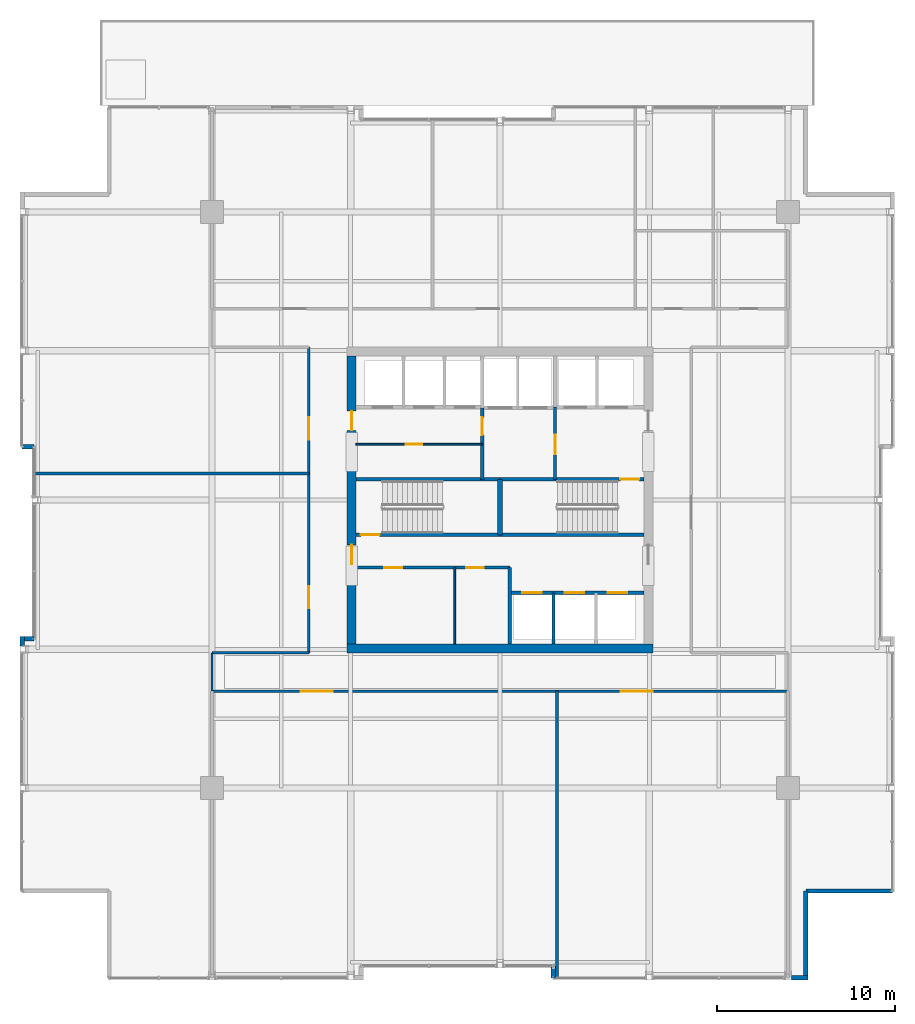
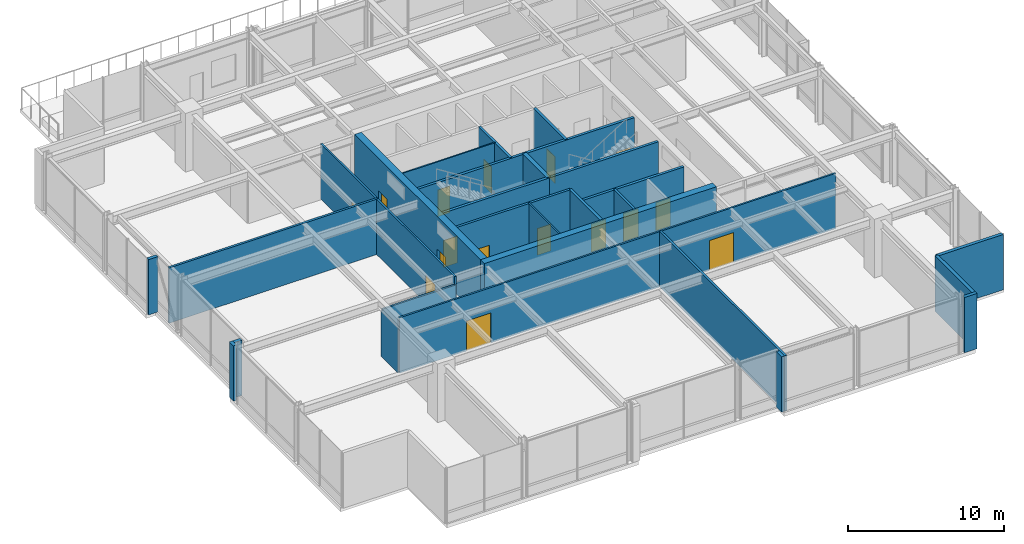
# One storey, part 27 of 32: 28 walls, 16 doors, 16 openings.
"""IFC4 building model written with IfcOpenShell, lengths in metres."""

from ifc_helpers import new_model, si_unit, direction, frame, frame_2d, origin, place, context, subcontext, project, spatial, rectangle, extrude, material, layer, layer_set, type_object, element, fill, save


model = new_model("IFC4")

# Units and contexts
model_context = context("Model", 3, precision=1e-05, world=origin(), true_north=direction((0.0, 1.0)))
body_context = subcontext(model_context, "Body", "Model", "MODEL_VIEW")
ifc_project = project(units=[si_unit("LENGTHUNIT", "METRE"), si_unit("AREAUNIT", "SQUARE_METRE"), si_unit("VOLUMEUNIT", "CUBIC_METRE"), si_unit("PLANEANGLEUNIT", "RADIAN"), si_unit("MASSUNIT", "GRAM", prefix="KILO")], contexts=[model_context])

# Site, building, storey
site_placement = place(None, origin())
site = spatial("IfcSite", under=ifc_project, at=site_placement, CompositionType="ELEMENT")
building_placement = place(site_placement, origin())
building = spatial("IfcBuilding", under=site, at=building_placement, Name="Drelvath Grand Hotel", CompositionType="ELEMENT")
storey_placement = place(building_placement, frame((0.0, 0.0, 145.800048828125)))
storey = spatial("IfcBuildingStorey", under=building, at=storey_placement, Name="L37", CompositionType="ELEMENT", Elevation=145.800048828125)

# Wall, opening, door
ifc_material_1 = material(Name="Gypsum Partition Board")
ifc_layer_1 = layer(ifc_material_1, 0.10009765625)
ifc_layer_set_1 = layer_set([ifc_layer_1], Name="Gypsum Partition Board")
wall_type_1 = type_object("IfcWallType", Name="Core Closet Partition 100", PredefinedType="PARTITIONING", material=ifc_layer_set_1)
wall_1_placement = place(storey_placement, frame((-8.10009765625, 30.139892578125, 0.0), z_axis=(0.0, 0.0, 1.0), x_axis=(1.0, 0.0, 0.0)))
wall_1 = element("IfcWall", 1, at=wall_1_placement, inside=storey, type_object=wall_type_1, Name="L37 High-Rise Lobby Closet Wall", PredefinedType="PARTITIONING", context=body_context, shape_type="SweptSolid", body=[
    extrude(rectangle(XDim=7.10009765625, YDim=0.10009765625, at=frame_2d((3.550048828125, 0.0))), origin(), (0.0, 0.0, 1.0), 4.33984375),
])
opening_1_placement = place(wall_1_placement, frame((2.800048828125, 0.0, 0.0)))
opening_1 = element("IfcOpeningElement", 2, at=opening_1_placement, cuts=wall_1, Name="Opening D-L37-014", PredefinedType="OPENING", context=body_context, shape_type="SweptSolid", body=[
    extrude(rectangle(XDim=0.919921875, YDim=2.10009765625, at=frame_2d((0.4599609375, 1.050048828125))), frame((0.0, 0.06005859375, 0.0), z_axis=(0.0, -1.0, 0.0), x_axis=(1.0, 0.0, 0.0)), (0.0, 0.0, 1.0), 0.1201171875),
])
ifc_material_2 = material(Name="Painted Steel S275", Category="steel")
door_type_1 = type_object("IfcDoorType", Name="Staff Utility Door 920x2100", OperationType="NOTDEFINED", PredefinedType="DOOR", material=ifc_material_2)
door_1_placement = place(opening_1_placement, origin())
door_1 = element("IfcDoor", 3, at=door_1_placement, inside=storey, type_object=door_type_1, Name="L37 Core Telecom Door", OperationType="SINGLE_SWING_LEFT", OverallHeight=2.10009765625, OverallWidth=0.919921875, PredefinedType="DOOR", context=body_context, shape_type="SweptSolid", body=[
    extrude(rectangle(XDim=0.919921875, YDim=2.10009765625, at=frame_2d((0.4599609375, 1.050048828125))), frame((0.0, 0.02490234375, 0.0), z_axis=(0.0, -1.0, 0.0), x_axis=(1.0, 0.0, 0.0)), (0.0, 0.0, 1.0), 0.050048828125),
])
fill(opening_1, door_1)

# Wall
wall_2_placement = place(storey_placement, frame((-2.5400390625, 18.89990234375, 0.0), z_axis=(0.0, 0.0, 1.0), x_axis=(0.0, 1.0, 0.0)))
element("IfcWall", 4, at=wall_2_placement, inside=storey, type_object=wall_type_1, Name="L37 Reclaimed Core Split Wall", PredefinedType="PARTITIONING", context=body_context, shape_type="SweptSolid", body=[
    extrude(rectangle(XDim=4.300048828125, YDim=0.10009765625, at=frame_2d((2.14990234375, 0.0))), origin(), (0.0, 0.0, 1.0), 4.33984375),
])

# Wall, openings, doors
ifc_material_3 = material(Name="Concrete C40/50", Category="concrete")
ifc_layer_2 = layer(ifc_material_3, 0.199951171875)
ifc_layer_set_2 = layer_set([ifc_layer_2], Name="Concrete C40/50")
wall_type_2 = type_object("IfcWallType", Name="Core Hoistway Fire Wall 200", PredefinedType="SOLIDWALL", material=ifc_layer_set_2)
wall_3_placement = place(storey_placement, frame((8.10009765625, 21.780029296875, 0.0), z_axis=(0.0, 0.0, 1.0), x_axis=(-1.0, 0.0, 0.0)))
wall_3 = element("IfcWall", 5, at=wall_3_placement, inside=storey, type_object=wall_type_2, Name="L37 Bank 2 Hoistway Wall", PredefinedType="SOLIDWALL", context=body_context, shape_type="SweptSolid", body=[
    extrude(rectangle(XDim=7.550048828125, YDim=0.199951171875, at=frame_2d((3.77490234375, 0.0))), origin(), (0.0, 0.0, 1.0), 4.33984375),
])
opening_2_placement = place(wall_3_placement, frame((5.75, 0.0, 0.0)))
opening_2 = element("IfcOpeningElement", 6, at=opening_2_placement, cuts=wall_3, Name="Opening LD-PE-4", PredefinedType="OPENING", context=body_context, shape_type="SweptSolid", body=[
    extrude(rectangle(XDim=1.10009765625, YDim=2.199951171875, at=frame_2d((0.550048828125, 1.10009765625))), frame((0.0, 0.10986328125, 0.0), z_axis=(0.0, -1.0, 0.0), x_axis=(1.0, 0.0, 0.0)), (0.0, 0.0, 1.0), 0.219970703125),
])
opening_3_placement = place(wall_3_placement, frame((3.35009765625, 0.0, 0.0)))
opening_3 = element("IfcOpeningElement", 7, at=opening_3_placement, cuts=wall_3, Name="Opening LD-PE-5", PredefinedType="OPENING", context=body_context, shape_type="SweptSolid", body=[
    extrude(rectangle(XDim=1.10009765625, YDim=2.199951171875, at=frame_2d((0.550048828125, 1.10009765625))), frame((0.0, 0.10986328125, 0.0), z_axis=(0.0, -1.0, 0.0), x_axis=(1.0, 0.0, 0.0)), (0.0, 0.0, 1.0), 0.219970703125),
])
opening_4_placement = place(wall_3_placement, frame((0.949951171875, 0.0, 0.0)))
opening_4 = element("IfcOpeningElement", 8, at=opening_4_placement, cuts=wall_3, Name="Opening LD-PE-6", PredefinedType="OPENING", context=body_context, shape_type="SweptSolid", body=[
    extrude(rectangle(XDim=1.10009765625, YDim=2.199951171875, at=frame_2d((0.550048828125, 1.10009765625))), frame((0.0, 0.10986328125, 0.0), z_axis=(0.0, -1.0, 0.0), x_axis=(1.0, 0.0, 0.0)), (0.0, 0.0, 1.0), 0.219970703125),
])
ifc_material_4 = material(Name="Stainless Steel S355", Category="steel")
door_type_2 = type_object("IfcDoorType", Name="Passenger Lift Sliding Landing Door 1100x2200", OperationType="NOTDEFINED", PredefinedType="DOOR", material=ifc_material_4)
door_2_placement = place(opening_2_placement, origin())
door_2 = element("IfcDoor", 9, at=door_2_placement, inside=storey, type_object=door_type_2, Name="L37 Lift PE-4 Landing Door", OperationType="SLIDING_TO_LEFT", OverallHeight=2.199951171875, OverallWidth=1.10009765625, PredefinedType="DOOR", context=body_context, shape_type="SweptSolid", body=[
    extrude(rectangle(XDim=1.10009765625, YDim=2.199951171875, at=frame_2d((0.550048828125, 1.10009765625))), frame((0.0, 0.02490234375, 0.0), z_axis=(0.0, -1.0, 0.0), x_axis=(1.0, 0.0, 0.0)), (0.0, 0.0, 1.0), 0.050048828125),
])
fill(opening_2, door_2)
door_3_placement = place(opening_3_placement, origin())
door_3 = element("IfcDoor", 10, at=door_3_placement, inside=storey, type_object=door_type_2, Name="L37 Lift PE-5 Landing Door", OperationType="SLIDING_TO_LEFT", OverallHeight=2.199951171875, OverallWidth=1.10009765625, PredefinedType="DOOR", context=body_context, shape_type="SweptSolid", body=[
    extrude(rectangle(XDim=1.10009765625, YDim=2.199951171875, at=frame_2d((0.550048828125, 1.10009765625))), frame((0.0, 0.02490234375, 0.0), z_axis=(0.0, -1.0, 0.0), x_axis=(1.0, 0.0, 0.0)), (0.0, 0.0, 1.0), 0.050048828125),
])
fill(opening_3, door_3)
door_4_placement = place(opening_4_placement, origin())
door_4 = element("IfcDoor", 11, at=door_4_placement, inside=storey, type_object=door_type_2, Name="L37 Lift PE-6 Landing Door", OperationType="SLIDING_TO_LEFT", OverallHeight=2.199951171875, OverallWidth=1.10009765625, PredefinedType="DOOR", context=body_context, shape_type="SweptSolid", body=[
    extrude(rectangle(XDim=1.10009765625, YDim=2.199951171875, at=frame_2d((0.550048828125, 1.10009765625))), frame((0.0, 0.02490234375, 0.0), z_axis=(0.0, -1.0, 0.0), x_axis=(1.0, 0.0, 0.0)), (0.0, 0.0, 1.0), 0.050048828125),
])
fill(opening_4, door_4)

# Wall
wall_4_placement = place(storey_placement, frame((0.550048828125, 18.89990234375, 0.0), z_axis=(0.0, 0.0, 1.0), x_axis=(0.0, 1.0, 0.0)))
element("IfcWall", 12, at=wall_4_placement, inside=storey, type_object=wall_type_2, Name="L37 Bank 2 West Wall", PredefinedType="SOLIDWALL", context=body_context, shape_type="SweptSolid", body=[
    extrude(rectangle(XDim=4.300048828125, YDim=0.199951171875, at=frame_2d((2.14990234375, 0.0))), origin(), (0.0, 0.0, 1.0), 4.33984375),
])

# Wall, opening, door
ifc_layer_3 = layer(ifc_material_3, 0.199951171875)
ifc_layer_set_3 = layer_set([ifc_layer_3], Name="Concrete C40/50")
wall_type_3 = type_object("IfcWallType", Name="Core Shaft Fire Wall 200", PredefinedType="SOLIDWALL", material=ifc_layer_set_3)
wall_5_placement = place(storey_placement, frame((-8.10009765625, 25.0400390625, 0.0), z_axis=(0.0, 0.0, 1.0), x_axis=(1.0, 0.0, 0.0)))
wall_5 = element("IfcWall", 13, at=wall_5_placement, inside=storey, type_object=wall_type_3, Name="L37 Stair ST-1 South Wall", PredefinedType="SOLIDWALL", context=body_context, shape_type="SweptSolid", body=[
    extrude(rectangle(XDim=8.10009765625, YDim=0.199951171875, at=frame_2d((4.050048828125, 0.0))), origin(), (0.0, 0.0, 1.0), 4.33984375),
])
opening_5_placement = place(wall_5_placement, frame((0.280029296875, 0.0, 0.0)))
opening_5 = element("IfcOpeningElement", 14, at=opening_5_placement, cuts=wall_5, Name="Opening D-L37-001", PredefinedType="OPENING", context=body_context, shape_type="SweptSolid", body=[
    extrude(rectangle(XDim=1.050048828125, YDim=2.10009765625, at=frame_2d((0.52490234375, 1.050048828125))), frame((0.0, 0.10986328125, 0.0), z_axis=(0.0, -1.0, 0.0), x_axis=(1.0, 0.0, 0.0)), (0.0, 0.0, 1.0), 0.219970703125),
])
door_type_3 = type_object("IfcDoorType", Name="Tower Stairwell Fire Door 1050x2100", OperationType="NOTDEFINED", PredefinedType="DOOR", material=ifc_material_2)
door_5_placement = place(opening_5_placement, origin())
door_5 = element("IfcDoor", 15, at=door_5_placement, inside=storey, type_object=door_type_3, Name="L37 Exit Stair ST-1 Door", OperationType="SINGLE_SWING_LEFT", OverallHeight=2.10009765625, OverallWidth=1.050048828125, PredefinedType="DOOR", context=body_context, shape_type="SweptSolid", body=[
    extrude(rectangle(XDim=1.050048828125, YDim=2.10009765625, at=frame_2d((0.52490234375, 1.050048828125))), frame((0.0, 0.02490234375, 0.0), z_axis=(0.0, -1.0, 0.0), x_axis=(1.0, 0.0, 0.0)), (0.0, 0.0, 1.0), 0.050048828125),
])
fill(opening_5, door_5)

# Walls
for number, where, z_axis, x_axis, name in (
    (16, (-8.10009765625, 28.159912109375, 0.0), (0.0, 0.0, 1.0), (1.0, 0.0, 0.0), "L37 Stair ST-1 North Wall"),
    (17, (0.0, 25.0400390625, 0.0), (0.0, 0.0, 1.0), (1.0, 0.0, 0.0), "L37 Stair ST-2 South Wall"),
):
    element("IfcWall", number, at=place(storey_placement, frame(where, z_axis=z_axis, x_axis=x_axis)), inside=storey, type_object=wall_type_3, Name=name, PredefinedType="SOLIDWALL", context=body_context, shape_type="SweptSolid", body=[
        extrude(rectangle(XDim=8.10009765625, YDim=0.199951171875, at=frame_2d((4.050048828125, 0.0))), origin(), (0.0, 0.0, 1.0), 4.33984375),
    ])

# Wall, opening, door
wall_6_placement = place(storey_placement, frame((8.10009765625, 28.159912109375, 0.0), z_axis=(0.0, 0.0, 1.0), x_axis=(-1.0, 0.0, 0.0)))
wall_6 = element("IfcWall", 18, at=wall_6_placement, inside=storey, type_object=wall_type_3, Name="L37 Stair ST-2 North Wall", PredefinedType="SOLIDWALL", context=body_context, shape_type="SweptSolid", body=[
    extrude(rectangle(XDim=8.10009765625, YDim=0.199951171875, at=frame_2d((4.050048828125, 0.0))), origin(), (0.0, 0.0, 1.0), 4.33984375),
])
opening_6_placement = place(wall_6_placement, frame((0.280029296875, 0.0, 0.0)))
opening_6 = element("IfcOpeningElement", 19, at=opening_6_placement, cuts=wall_6, Name="Opening D-L37-002", PredefinedType="OPENING", context=body_context, shape_type="SweptSolid", body=[
    extrude(rectangle(XDim=1.050048828125, YDim=2.10009765625, at=frame_2d((0.52490234375, 1.050048828125))), frame((0.0, 0.10986328125, 0.0), z_axis=(0.0, -1.0, 0.0), x_axis=(1.0, 0.0, 0.0)), (0.0, 0.0, 1.0), 0.219970703125),
])
door_6_placement = place(opening_6_placement, origin())
door_6 = element("IfcDoor", 20, at=door_6_placement, inside=storey, type_object=door_type_3, Name="L37 Exit Stair ST-2 Door", OperationType="SINGLE_SWING_LEFT", OverallHeight=2.10009765625, OverallWidth=1.050048828125, PredefinedType="DOOR", context=body_context, shape_type="SweptSolid", body=[
    extrude(rectangle(XDim=1.050048828125, YDim=2.10009765625, at=frame_2d((0.52490234375, 1.050048828125))), frame((0.0, 0.02490234375, 0.0), z_axis=(0.0, -1.0, 0.0), x_axis=(1.0, 0.0, 0.0)), (0.0, 0.0, 1.0), 0.050048828125),
])
fill(opening_6, door_6)

# Walls
ifc_layer_4 = layer(ifc_material_3, 0.300048828125)
ifc_layer_set_4 = layer_set([ifc_layer_4], Name="Concrete C40/50")
wall_type_4 = type_object("IfcWallType", Name="Core Shaft Fire Wall 300", PredefinedType="SOLIDWALL", material=ifc_layer_set_4)
wall_7_placement = place(storey_placement, frame((0.0, 25.0400390625, 0.0), z_axis=(0.0, 0.0, 1.0), x_axis=(0.0, 1.0, 0.0)))
element("IfcWall", 21, at=wall_7_placement, inside=storey, type_object=wall_type_4, Name="L37 Core Stair Divider Wall", PredefinedType="SOLIDWALL", context=body_context, shape_type="SweptSolid", body=[
    extrude(rectangle(XDim=3.119873046875, YDim=0.300048828125, at=frame_2d((1.56005859375, 0.0))), origin(), (0.0, 0.0, 1.0), 4.33984375),
])
ifc_material_5 = material(Name="Gypsum Fireboard Partition")
ifc_layer_5 = layer(ifc_material_5, 0.1650390625)
ifc_layer_set_5 = layer_set([ifc_layer_5], Name="Gypsum Fireboard Partition")
wall_type_5 = type_object("IfcWallType", Name="Core Shaft Partition 165", PredefinedType="PARTITIONING", material=ifc_layer_set_5)
wall_8_placement = place(storey_placement, frame((3.0, 18.89990234375, 0.0), z_axis=(0.0, 0.0, 1.0), x_axis=(0.0, 1.0, 0.0)))
element("IfcWall", 22, at=wall_8_placement, inside=storey, type_object=wall_type_5, Name="L37 Lift PE-4/5 Divider", PredefinedType="PARTITIONING", context=body_context, shape_type="SweptSolid", body=[
    extrude(rectangle(XDim=2.880126953125, YDim=0.1650390625, at=frame_2d((1.43994140625, 0.0))), origin(), (0.0, 0.0, 1.0), 4.33984375),
])

# Wall, openings, doors
ifc_layer_6 = layer(ifc_material_5, 0.135009765625)
ifc_layer_set_6 = layer_set([ifc_layer_6], Name="Gypsum Fireboard Partition")
wall_type_6 = type_object("IfcWallType", Name="Corridor Fire Barrier Wall 135", PredefinedType="PARTITIONING", material=ifc_layer_set_6)
wall_9_placement = place(storey_placement, frame((-16.199951171875, 16.25, 0.0), z_axis=(0.0, 0.0, 1.0), x_axis=(1.0, 0.0, 0.0)))
wall_9 = element("IfcWall", 23, at=wall_9_placement, inside=storey, type_object=wall_type_6, Name="L37 Sky South Foyer Wall", PredefinedType="PARTITIONING", context=body_context, shape_type="SweptSolid", body=[
    extrude(rectangle(XDim=32.39990234375, YDim=0.135009765625, at=frame_2d((16.199951171875, 0.0))), origin(), (0.0, 0.0, 1.0), 4.33984375),
])
opening_7_placement = place(wall_9_placement, frame((5.0, 0.0, 0.0)))
opening_7 = element("IfcOpeningElement", 24, at=opening_7_placement, cuts=wall_9, Name="Opening D-L37-022", PredefinedType="OPENING", context=body_context, shape_type="SweptSolid", body=[
    extrude(rectangle(XDim=1.800048828125, YDim=2.35009765625, at=frame_2d((0.89990234375, 1.175048828125))), frame((0.0, 0.077392578125, 0.0), z_axis=(0.0, -1.0, 0.0), x_axis=(1.0, 0.0, 0.0)), (0.0, 0.0, 1.0), 0.155029296875),
])
opening_8_placement = place(wall_9_placement, frame((23.0, 0.0, 0.0)))
opening_8 = element("IfcOpeningElement", 25, at=opening_8_placement, cuts=wall_9, Name="Opening D-L37-023", PredefinedType="OPENING", context=body_context, shape_type="SweptSolid", body=[
    extrude(rectangle(XDim=1.800048828125, YDim=2.35009765625, at=frame_2d((0.89990234375, 1.175048828125))), frame((0.0, 0.077392578125, 0.0), z_axis=(0.0, -1.0, 0.0), x_axis=(1.0, 0.0, 0.0)), (0.0, 0.0, 1.0), 0.155029296875),
])
ifc_material_6 = material(Name="Hardwood Bronze-Clad Timber", Category="wood")
door_type_4 = type_object("IfcDoorType", Name="Assembly Double Fire Door 1800x2350", OperationType="NOTDEFINED", PredefinedType="DOOR", material=ifc_material_6)
door_7_placement = place(opening_7_placement, origin())
door_7 = element("IfcDoor", 26, at=door_7_placement, inside=storey, type_object=door_type_4, Name="L37 Wellness Spa Sky Hydrotherapy Salon Door", OperationType="DOUBLE_DOOR_SINGLE_SWING", OverallHeight=2.35009765625, OverallWidth=1.800048828125, PredefinedType="DOOR", context=body_context, shape_type="SweptSolid", body=[
    extrude(rectangle(XDim=1.800048828125, YDim=2.35009765625, at=frame_2d((0.89990234375, 1.175048828125))), frame((0.0, 0.02490234375, 0.0), z_axis=(0.0, -1.0, 0.0), x_axis=(1.0, 0.0, 0.0)), (0.0, 0.0, 1.0), 0.050048828125),
])
fill(opening_7, door_7)
door_8_placement = place(opening_8_placement, origin())
door_8 = element("IfcDoor", 27, at=door_8_placement, inside=storey, type_object=door_type_4, Name="L37 Botanical Relaxation Lounge Door", OperationType="DOUBLE_DOOR_SINGLE_SWING", OverallHeight=2.35009765625, OverallWidth=1.800048828125, PredefinedType="DOOR", context=body_context, shape_type="SweptSolid", body=[
    extrude(rectangle(XDim=1.800048828125, YDim=2.35009765625, at=frame_2d((0.89990234375, 1.175048828125))), frame((0.0, 0.02490234375, 0.0), z_axis=(0.0, -1.0, 0.0), x_axis=(1.0, 0.0, 0.0)), (0.0, 0.0, 1.0), 0.050048828125),
])
fill(opening_8, door_8)

# Wall
wall_10_placement = place(storey_placement, frame((-16.199951171875, 18.39990234375, 0.0), z_axis=(0.0, 0.0, 1.0), x_axis=(1.0, 0.0, 0.0)))
element("IfcWall", 28, at=wall_10_placement, inside=storey, type_object=wall_type_6, Name="L37 Sky SW Spur Inner Wall", PredefinedType="PARTITIONING", context=body_context, shape_type="SweptSolid", body=[
    extrude(rectangle(XDim=5.449951171875, YDim=0.135009765625, at=frame_2d((2.72509765625, 0.0))), origin(), (0.0, 0.0, 1.0), 3.71728515625),
])

# Wall, openings, doors
wall_11_placement = place(storey_placement, frame((-10.75, 18.39990234375, 0.0), z_axis=(0.0, 0.0, 1.0), x_axis=(0.0, 1.0, 0.0)))
wall_11 = element("IfcWall", 29, at=wall_11_placement, inside=storey, type_object=wall_type_6, Name="L37 Sky West Foyer Wall", PredefinedType="PARTITIONING", context=body_context, shape_type="SweptSolid", body=[
    extrude(rectangle(XDim=17.2001953125, YDim=0.135009765625, at=frame_2d((8.60009765625, 0.0))), origin(), (0.0, 0.0, 1.0), 4.33984375),
])
opening_9_placement = place(wall_11_placement, frame((2.5, 0.0, 0.0)))
opening_9 = element("IfcOpeningElement", 30, at=opening_9_placement, cuts=wall_11, Name="Opening D-L37-028", PredefinedType="OPENING", context=body_context, shape_type="SweptSolid", body=[
    extrude(rectangle(XDim=1.260009765625, YDim=2.199951171875, at=frame_2d((0.6298828125, 1.10009765625))), frame((0.0, 0.077392578125, 0.0), z_axis=(0.0, -1.0, 0.0), x_axis=(1.0, 0.0, 0.0)), (0.0, 0.0, 1.0), 0.155029296875),
])
opening_10_placement = place(wall_11_placement, frame((12.0, 0.0, 0.0)))
opening_10 = element("IfcOpeningElement", 31, at=opening_10_placement, cuts=wall_11, Name="Opening D-L37-029", PredefinedType="OPENING", context=body_context, shape_type="SweptSolid", body=[
    extrude(rectangle(XDim=1.260009765625, YDim=2.199951171875, at=frame_2d((0.6298828125, 1.10009765625))), frame((0.0, 0.077392578125, 0.0), z_axis=(0.0, -1.0, 0.0), x_axis=(1.0, 0.0, 0.0)), (0.0, 0.0, 1.0), 0.155029296875),
])
ifc_material_7 = material(Name="Hardwood Walnut Timber", Category="wood")
door_type_5 = type_object("IfcDoorType", Name="Suite Entrance Fire Door 1260x2200", OperationType="NOTDEFINED", PredefinedType="DOOR", material=ifc_material_7)
door_9_placement = place(opening_9_placement, origin())
door_9 = element("IfcDoor", 32, at=door_9_placement, inside=storey, type_object=door_type_5, Name="L37 Thermal Hydrotherapy Lounge Door", OperationType="SINGLE_SWING_RIGHT", OverallHeight=2.199951171875, OverallWidth=1.260009765625, PredefinedType="DOOR", context=body_context, shape_type="SweptSolid", body=[
    extrude(rectangle(XDim=1.260009765625, YDim=2.199951171875, at=frame_2d((0.6298828125, 1.10009765625))), frame((0.0, 0.02490234375, 0.0), z_axis=(0.0, -1.0, 0.0), x_axis=(1.0, 0.0, 0.0)), (0.0, 0.0, 1.0), 0.050048828125),
])
fill(opening_9, door_9)
door_10_placement = place(opening_10_placement, origin())
door_10 = element("IfcDoor", 33, at=door_10_placement, inside=storey, type_object=door_type_5, Name="L37 Meditation Yoga Studio Door", OperationType="SINGLE_SWING_LEFT", OverallHeight=2.199951171875, OverallWidth=1.260009765625, PredefinedType="DOOR", context=body_context, shape_type="SweptSolid", body=[
    extrude(rectangle(XDim=1.260009765625, YDim=2.199951171875, at=frame_2d((0.6298828125, 1.10009765625))), frame((0.0, 0.02490234375, 0.0), z_axis=(0.0, -1.0, 0.0), x_axis=(1.0, 0.0, 0.0)), (0.0, 0.0, 1.0), 0.050048828125),
])
fill(opening_10, door_10)

# Wall
wall_12_placement = place(storey_placement, frame((-16.199951171875, 16.25, 0.0), z_axis=(0.0, 0.0, 1.0), x_axis=(0.0, 1.0, 0.0)))
element("IfcWall", 34, at=wall_12_placement, inside=storey, type_object=wall_type_6, Name="L37 Sky South Foyer West End", PredefinedType="PARTITIONING", context=body_context, shape_type="SweptSolid", body=[
    extrude(rectangle(XDim=2.14990234375, YDim=0.135009765625, at=frame_2d((1.074951171875, 0.0))), origin(), (0.0, 0.0, 1.0), 3.62939453125),
])

# Wall, opening, door
ifc_layer_7 = layer(ifc_material_5, 0.179931640625)
ifc_layer_set_7 = layer_set([ifc_layer_7], Name="Gypsum Fireboard Partition")
wall_type_7 = type_object("IfcWallType", Name="FSAE Smoke Lobby Fire Wall 180", PredefinedType="SOLIDWALL", material=ifc_layer_set_7)
wall_13_placement = place(storey_placement, frame((3.10009765625, 28.159912109375, 0.0), z_axis=(0.0, 0.0, 1.0), x_axis=(0.0, 1.0, 0.0)))
wall_13 = element("IfcWall", 35, at=wall_13_placement, inside=storey, type_object=wall_type_7, Name="L37 FSAE Smoke Lobby West Wall", PredefinedType="SOLIDWALL", context=body_context, shape_type="SweptSolid", body=[
    extrude(rectangle(XDim=4.06005859375, YDim=0.179931640625, at=frame_2d((2.030029296875, 0.0))), origin(), (0.0, 0.0, 1.0), 4.33984375),
])
opening_11_placement = place(wall_13_placement, frame((1.39990234375, 0.0, 0.0)))
opening_11 = element("IfcOpeningElement", 36, at=opening_11_placement, cuts=wall_13, Name="Opening D-L37-005", PredefinedType="OPENING", context=body_context, shape_type="SweptSolid", body=[
    extrude(rectangle(XDim=1.1201171875, YDim=2.10009765625, at=frame_2d((0.56005859375, 1.050048828125))), frame((0.0, 0.099853515625, 0.0), z_axis=(0.0, -1.0, 0.0), x_axis=(1.0, 0.0, 0.0)), (0.0, 0.0, 1.0), 0.199951171875),
])
door_type_6 = type_object("IfcDoorType", Name="FSAE Smoke Lobby Fire Door 1120x2100", OperationType="NOTDEFINED", PredefinedType="DOOR", material=ifc_material_2)
door_11_placement = place(opening_11_placement, origin())
door_11 = element("IfcDoor", 37, at=door_11_placement, inside=storey, type_object=door_type_6, Name="L37 FSAE Lobby Service Vestibule Door", OperationType="SINGLE_SWING_RIGHT", OverallHeight=2.10009765625, OverallWidth=1.1201171875, PredefinedType="DOOR", context=body_context, shape_type="SweptSolid", body=[
    extrude(rectangle(XDim=1.1201171875, YDim=2.10009765625, at=frame_2d((0.56005859375, 1.050048828125))), frame((0.0, 0.02490234375, 0.0), z_axis=(0.0, -1.0, 0.0), x_axis=(1.0, 0.0, 0.0)), (0.0, 0.0, 1.0), 0.050048828125),
])
fill(opening_11, door_11)

wall_14_placement = place(storey_placement, frame((-1.0, 28.159912109375, 0.0), z_axis=(0.0, 0.0, 1.0), x_axis=(0.0, 1.0, 0.0)))
wall_14 = element("IfcWall", 38, at=wall_14_placement, inside=storey, type_object=wall_type_7, Name="L37 Service Vestibule West Wall", PredefinedType="SOLIDWALL", context=body_context, shape_type="SweptSolid", body=[
    extrude(rectangle(XDim=4.02001953125, YDim=0.179931640625, at=frame_2d((2.010009765625, 0.0))), origin(), (0.0, 0.0, 1.0), 4.33984375),
])
opening_12_placement = place(wall_14_placement, frame((2.489990234375, 0.0, 0.0)))
opening_12 = element("IfcOpeningElement", 39, at=opening_12_placement, cuts=wall_14, Name="Opening D-L37-009", PredefinedType="OPENING", context=body_context, shape_type="SweptSolid", body=[
    extrude(rectangle(XDim=1.0, YDim=2.10009765625, at=frame_2d((0.5, 1.050048828125))), frame((0.0, 0.099853515625, 0.0), z_axis=(0.0, -1.0, 0.0), x_axis=(1.0, 0.0, 0.0)), (0.0, 0.0, 1.0), 0.199951171875),
])
door_type_7 = type_object("IfcDoorType", Name="Core Service Fire Door 1000x2100", OperationType="NOTDEFINED", PredefinedType="DOOR", material=ifc_material_2)
door_12_placement = place(opening_12_placement, origin())
door_12 = element("IfcDoor", 40, at=door_12_placement, inside=storey, type_object=door_type_7, Name="L37 Service Vestibule West Door", OperationType="SINGLE_SWING_LEFT", OverallHeight=2.10009765625, OverallWidth=1.0, PredefinedType="DOOR", context=body_context, shape_type="SweptSolid", body=[
    extrude(rectangle(XDim=1.0, YDim=2.10009765625, at=frame_2d((0.5, 1.050048828125))), frame((0.0, 0.02490234375, 0.0), z_axis=(0.0, -1.0, 0.0), x_axis=(1.0, 0.0, 0.0)), (0.0, 0.0, 1.0), 0.050048828125),
])
fill(opening_12, door_12)

# Wall, openings, doors
wall_15_placement = place(storey_placement, frame((-8.10009765625, 23.199951171875, 0.0), z_axis=(0.0, 0.0, 1.0), x_axis=(1.0, 0.0, 0.0)))
wall_15 = element("IfcWall", 41, at=wall_15_placement, inside=storey, type_object=wall_type_7, Name="L37 Reclaimed Core Room Wall", PredefinedType="SOLIDWALL", context=body_context, shape_type="SweptSolid", body=[
    extrude(rectangle(XDim=8.650146484375, YDim=0.179931640625, at=frame_2d((4.3251953125, 0.0))), origin(), (0.0, 0.0, 1.0), 4.33984375),
])
opening_13_placement = place(wall_15_placement, frame((1.60009765625, 0.0, 0.0)))
opening_13 = element("IfcOpeningElement", 42, at=opening_13_placement, cuts=wall_15, Name="Opening D-L37-020", PredefinedType="OPENING", context=body_context, shape_type="SweptSolid", body=[
    extrude(rectangle(XDim=1.0, YDim=2.10009765625, at=frame_2d((0.5, 1.050048828125))), frame((0.0, 0.099853515625, 0.0), z_axis=(0.0, -1.0, 0.0), x_axis=(1.0, 0.0, 0.0)), (0.0, 0.0, 1.0), 0.199951171875),
])
opening_14_placement = place(wall_15_placement, frame((6.199951171875, 0.0, 0.0)))
opening_14 = element("IfcOpeningElement", 43, at=opening_14_placement, cuts=wall_15, Name="Opening D-L37-021", PredefinedType="OPENING", context=body_context, shape_type="SweptSolid", body=[
    extrude(rectangle(XDim=1.0, YDim=2.10009765625, at=frame_2d((0.5, 1.050048828125))), frame((0.0, 0.099853515625, 0.0), z_axis=(0.0, -1.0, 0.0), x_axis=(1.0, 0.0, 0.0)), (0.0, 0.0, 1.0), 0.199951171875),
])
door_13_placement = place(opening_13_placement, origin())
door_13 = element("IfcDoor", 44, at=door_13_placement, inside=storey, type_object=door_type_7, Name="L37 Housekeeping Door", OperationType="SINGLE_SWING_RIGHT", OverallHeight=2.10009765625, OverallWidth=1.0, PredefinedType="DOOR", context=body_context, shape_type="SweptSolid", body=[
    extrude(rectangle(XDim=1.0, YDim=2.10009765625, at=frame_2d((0.5, 1.050048828125))), frame((0.0, 0.02490234375, 0.0), z_axis=(0.0, -1.0, 0.0), x_axis=(1.0, 0.0, 0.0)), (0.0, 0.0, 1.0), 0.050048828125),
])
fill(opening_13, door_13)
door_14_placement = place(opening_14_placement, origin())
door_14 = element("IfcDoor", 45, at=door_14_placement, inside=storey, type_object=door_type_7, Name="L37 Butler Pantry Door", OperationType="SINGLE_SWING_LEFT", OverallHeight=2.10009765625, OverallWidth=1.0, PredefinedType="DOOR", context=body_context, shape_type="SweptSolid", body=[
    extrude(rectangle(XDim=1.0, YDim=2.10009765625, at=frame_2d((0.5, 1.050048828125))), frame((0.0, 0.02490234375, 0.0), z_axis=(0.0, -1.0, 0.0), x_axis=(1.0, 0.0, 0.0)), (0.0, 0.0, 1.0), 0.050048828125),
])
fill(opening_14, door_14)

# Walls
ifc_material_8 = material(Name="Gypsum Acoustic Partition")
ifc_layer_8 = layer(ifc_material_8, 0.1650390625)
ifc_layer_set_8 = layer_set([ifc_layer_8], Name="Gypsum Acoustic Partition")
wall_type_8 = type_object("IfcWallType", Name="Suite Demising Wall 165", PredefinedType="PARTITIONING", material=ifc_layer_set_8)
wall_16_placement = place(storey_placement, frame((3.199951171875, 0.1201171875, 0.0), z_axis=(0.0, 0.0, 1.0), x_axis=(0.0, 1.0, 0.0)))
element("IfcWall", 46, at=wall_16_placement, inside=storey, type_object=wall_type_8, Name="L37 Sky South Split", PredefinedType="PARTITIONING", context=body_context, shape_type="SweptSolid", body=[
    extrude(rectangle(XDim=16.1298828125, YDim=0.1650390625, at=frame_2d((8.06494140625, 0.0))), origin(), (0.0, 0.0, 1.0), 4.33984375),
])
wall_17_placement = place(storey_placement, frame((-26.199951171875, 28.5, 0.0), z_axis=(0.0, 0.0, 1.0), x_axis=(1.0, 0.0, 0.0)))
element("IfcWall", 47, at=wall_17_placement, inside=storey, type_object=wall_type_8, Name="L37 Sky West Split", PredefinedType="PARTITIONING", context=body_context, shape_type="SweptSolid", body=[
    extrude(rectangle(XDim=15.449951171875, YDim=0.1650390625, at=frame_2d((7.72509765625, 0.0))), origin(), (0.0, 0.0, 1.0), 4.33984375),
])
ifc_material_9 = material(Name="Pale-Metal Insulated Aluminium Spandrel Assembly", Category="aluminium")
ifc_layer_9 = layer(ifc_material_9, 0.239990234375)
ifc_layer_set_9 = layer_set([ifc_layer_9], Name="Pale-Metal Insulated Aluminium Spandrel Assembly")
wall_type_9 = type_object("IfcWallType", Name="Tower Insulated Metal Spandrel Closure Wall 240", PredefinedType="STANDARD", material=ifc_layer_set_9)
wall_18_placement = place(storey_placement, frame((-26.8798828125, 18.800048828125, 0.0), z_axis=(0.0, 0.0, 1.0), x_axis=(0.0, 1.0, 0.0)))
element("IfcWall", 48, at=wall_18_placement, inside=storey, type_object=wall_type_9, Name="L37 Corner Pier Spandrel Wall WS3", PredefinedType="STANDARD", context=body_context, shape_type="SweptSolid", body=[
    extrude(rectangle(XDim=0.52001953125, YDim=0.239990234375, at=frame_2d((0.260009765625, 0.0))), origin(), (0.0, 0.0, 1.0), 4.33984375),
])
wall_19_placement = place(storey_placement, frame((17.320068359375, 0.1201171875, 0.0), z_axis=(0.0, 0.0, 1.0), x_axis=(-1.0, 0.0, 0.0)))
element("IfcWall", 49, at=wall_19_placement, inside=storey, type_object=wall_type_9, Name="L37 Corner Pier Spandrel Wall SE3", PredefinedType="STANDARD", context=body_context, shape_type="SweptSolid", body=[
    extrude(rectangle(XDim=0.919921875, YDim=0.239990234375, at=frame_2d((0.4599609375, 0.0))), origin(), (0.0, 0.0, 1.0), 4.33984375),
])
wall_20_placement = place(storey_placement, frame((22.080078125, 5.0, 0.0), z_axis=(0.0, 0.0, 1.0), x_axis=(-1.0, 0.0, 0.0)))
element("IfcWall", 50, at=wall_20_placement, inside=storey, type_object=wall_type_9, Name="L37 Notched Corner Return Spandrel Wall CSE1", PredefinedType="STANDARD", context=body_context, shape_type="SweptSolid", body=[
    extrude(rectangle(XDim=4.880126953125, YDim=0.239990234375, at=frame_2d((2.43994140625, 0.0))), origin(), (0.0, 0.0, 1.0), 4.33984375),
])
wall_21_placement = place(storey_placement, frame((17.199951171875, 5.0, 0.0), z_axis=(0.0, 0.0, 1.0), x_axis=(0.0, -1.0, 0.0)))
element("IfcWall", 51, at=wall_21_placement, inside=storey, type_object=wall_type_9, Name="L37 Notched Corner Return Spandrel Wall CSE2", PredefinedType="STANDARD", context=body_context, shape_type="SweptSolid", body=[
    extrude(rectangle(XDim=4.760009765625, YDim=0.239990234375, at=frame_2d((2.3798828125, 0.0))), origin(), (0.0, 0.0, 1.0), 4.33984375),
])
wall_22_placement = place(storey_placement, frame((-26.760009765625, 19.199951171875, 0.0), z_axis=(0.0, 0.0, 1.0), x_axis=(1.0, 0.0, 0.0)))
element("IfcWall", 52, at=wall_22_placement, inside=storey, type_object=wall_type_9, Name="L37 Notched Corner Return Spandrel Wall RW1", PredefinedType="STANDARD", context=body_context, shape_type="SweptSolid", body=[
    extrude(rectangle(XDim=0.56005859375, YDim=0.239990234375, at=frame_2d((0.280029296875, 0.0))), origin(), (0.0, 0.0, 1.0), 4.33984375),
])
for number, where, z_axis, x_axis, name in (
    (53, (-26.199951171875, 30.0, 0.0), (0.0, 0.0, 1.0), (-1.0, 0.0, 0.0), "L37 Notched Corner Return Spandrel Wall RW2"),
    (54, (3.0, 0.1201171875, 0.0), (0.0, 0.0, 1.0), (0.0, 1.0, 0.0), "L37 Notched Corner Return Spandrel Wall RS1"),
):
    element("IfcWall", number, at=place(storey_placement, frame(where, z_axis=z_axis, x_axis=x_axis)), inside=storey, type_object=wall_type_9, Name=name, PredefinedType="STANDARD", context=body_context, shape_type="SweptSolid", body=[
        extrude(rectangle(XDim=0.679931640625, YDim=0.239990234375, at=frame_2d((0.33984375, 0.0))), origin(), (0.0, 0.0, 1.0), 4.33984375),
    ])
ifc_material_10 = material(Name="Concrete f'c 55 MPa", Category="concrete")
ifc_layer_10 = layer(ifc_material_10, 0.5)
ifc_layer_set_10 = layer_set([ifc_layer_10], Name="Concrete f'c 55 MPa")
wall_type_10 = type_object("IfcWallType", Name="Upper Core RC Shear Wall 500", PredefinedType="SHEAR", material=ifc_layer_set_10)
wall_23_placement = place(storey_placement, frame((8.60009765625, 18.64990234375, 0.0), z_axis=(0.0, 0.0, 1.0), x_axis=(-1.0, 0.0, 0.0)))
element("IfcWall", 55, at=wall_23_placement, inside=storey, type_object=wall_type_10, Name="L37 Central Core Shear Wall S", PredefinedType="SHEAR", context=body_context, shape_type="SweptSolid", body=[
    extrude(rectangle(XDim=17.2001953125, YDim=0.5, at=frame_2d((8.60009765625, 0.0))), origin(), (0.0, 0.0, 1.0), 4.599853515625),
])

# Wall, openings, doors
wall_24_placement = place(storey_placement, frame((-8.35009765625, 18.89990234375, 0.0), z_axis=(0.0, 0.0, 1.0), x_axis=(0.0, 1.0, 0.0)))
wall_24 = element("IfcWall", 56, at=wall_24_placement, inside=storey, type_object=wall_type_10, Name="L37 Central Core Shear Wall W", PredefinedType="SHEAR", context=body_context, shape_type="SweptSolid", body=[
    extrude(rectangle(XDim=16.2001953125, YDim=0.5, at=frame_2d((8.10009765625, 0.0))), origin(), (0.0, 0.0, 1.0), 4.599853515625),
])
opening_15_placement = place(wall_24_placement, frame((12.02001953125, 0.0, 0.0)))
opening_15 = element("IfcOpeningElement", 57, at=opening_15_placement, cuts=wall_24, Name="Opening D-L37-013", PredefinedType="OPENING", context=body_context, shape_type="SweptSolid", body=[
    extrude(rectangle(XDim=1.080078125, YDim=2.0400390625, at=frame_2d((0.5400390625, 1.02001953125))), frame((0.0, 0.260009765625, 0.0), z_axis=(0.0, -1.0, 0.0), x_axis=(1.0, 0.0, 0.0)), (0.0, 0.0, 1.0), 0.52001953125),
])
opening_16_placement = place(wall_24_placement, frame((4.5, 0.0, 0.0)))
opening_16 = element("IfcOpeningElement", 58, at=opening_16_placement, cuts=wall_24, Name="Opening D-L37-018", PredefinedType="OPENING", context=body_context, shape_type="SweptSolid", body=[
    extrude(rectangle(XDim=1.080078125, YDim=2.0400390625, at=frame_2d((0.5400390625, 1.02001953125))), frame((0.0, 0.260009765625, 0.0), z_axis=(0.0, -1.0, 0.0), x_axis=(1.0, 0.0, 0.0)), (0.0, 0.0, 1.0), 0.52001953125),
])
door_type_8 = type_object("IfcDoorType", Name="Core Corridor Fire Door 1080x2100", OperationType="NOTDEFINED", PredefinedType="DOOR", material=ifc_material_2)
door_15_placement = place(opening_15_placement, origin())
door_15 = element("IfcDoor", 59, at=door_15_placement, inside=storey, type_object=door_type_8, Name="L37 High-Rise Lift Lobby West Door", OperationType="SINGLE_SWING_RIGHT", OverallHeight=2.0400390625, OverallWidth=1.080078125, PredefinedType="DOOR", context=body_context, shape_type="SweptSolid", body=[
    extrude(rectangle(XDim=1.080078125, YDim=2.0400390625, at=frame_2d((0.5400390625, 1.02001953125))), frame((0.0, 0.02490234375, 0.0), z_axis=(0.0, -1.0, 0.0), x_axis=(1.0, 0.0, 0.0)), (0.0, 0.0, 1.0), 0.050048828125),
])
fill(opening_15, door_15)
door_16_placement = place(opening_16_placement, origin())
door_16 = element("IfcDoor", 60, at=door_16_placement, inside=storey, type_object=door_type_8, Name="L37 Mid-Rise Lobby West Door", OperationType="SINGLE_SWING_RIGHT", OverallHeight=2.0400390625, OverallWidth=1.080078125, PredefinedType="DOOR", context=body_context, shape_type="SweptSolid", body=[
    extrude(rectangle(XDim=1.080078125, YDim=2.0400390625, at=frame_2d((0.5400390625, 1.02001953125))), frame((0.0, 0.02490234375, 0.0), z_axis=(0.0, -1.0, 0.0), x_axis=(1.0, 0.0, 0.0)), (0.0, 0.0, 1.0), 0.050048828125),
])
fill(opening_16, door_16)

save(model, "model.ifc")
